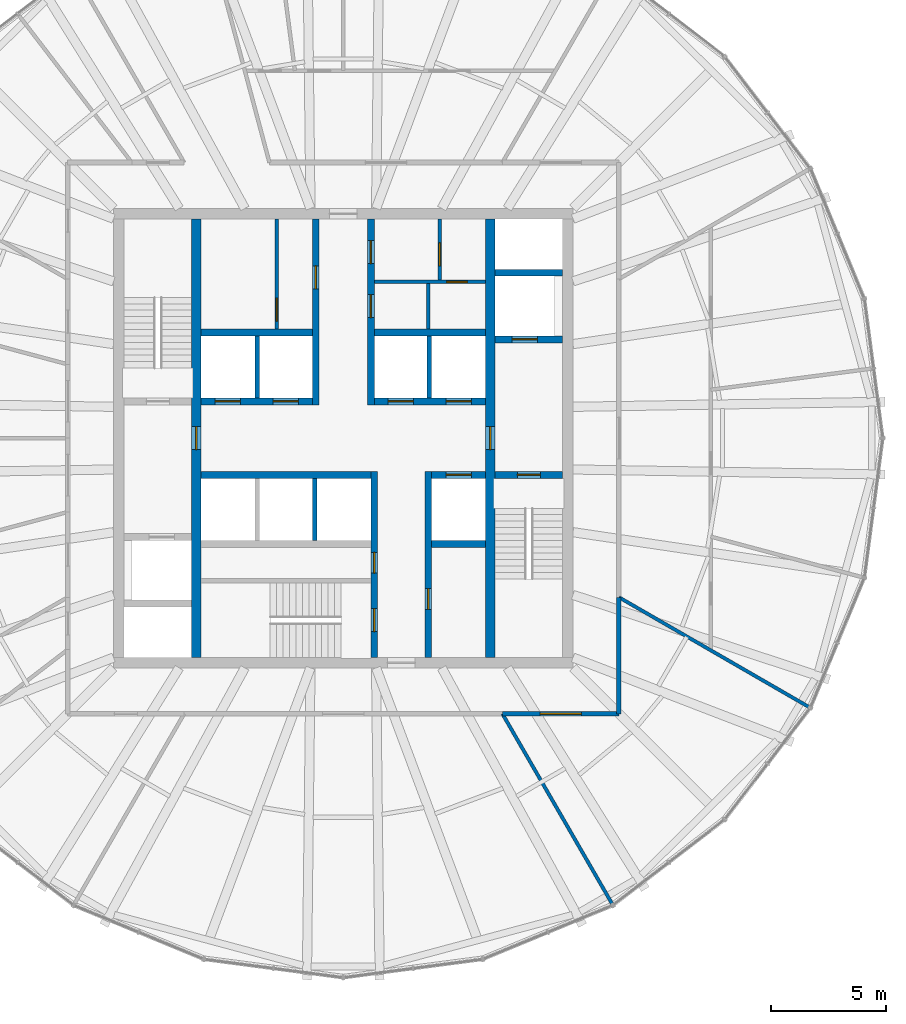
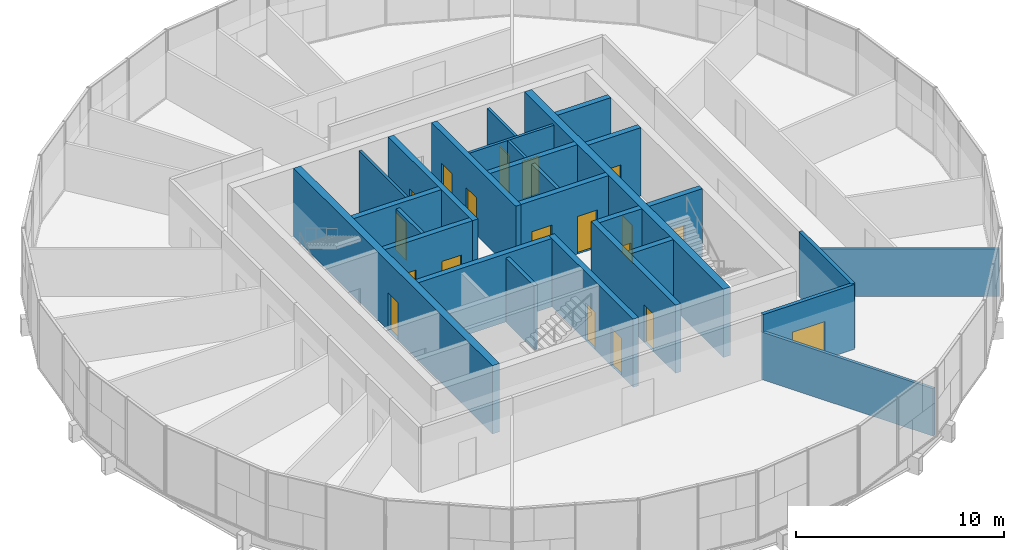
# One storey, part 11 of 13: 27 walls, 19 doors, 19 openings.
"""IFC4 building model written with IfcOpenShell, lengths in metres."""

from ifc_helpers import new_model, si_unit, direction, frame, frame_2d, origin, place, context, subcontext, project, spatial, rectangle, extrude, material, layer, layer_set, type_object, element, fill, save


model = new_model("IFC4")

# Units and contexts
model_context = context("Model", 3, precision=1e-05, world=origin(), true_north=direction((0.0, 1.0)))
body_context = subcontext(model_context, "Body", "Model", "MODEL_VIEW")
ifc_project = project(units=[si_unit("LENGTHUNIT", "METRE"), si_unit("AREAUNIT", "SQUARE_METRE"), si_unit("VOLUMEUNIT", "CUBIC_METRE"), si_unit("PLANEANGLEUNIT", "RADIAN"), si_unit("MASSUNIT", "GRAM", prefix="KILO")], contexts=[model_context])

# Site, building, storey
site_placement = place(None, origin())
site = spatial("IfcSite", under=ifc_project, at=site_placement, CompositionType="ELEMENT")
building_placement = place(site_placement, origin())
building = spatial("IfcBuilding", under=site, at=building_placement, Name="Golbaran Civic Tower", CompositionType="ELEMENT")
storey_placement = place(building_placement, frame((0.0, 0.0, 211.0)))
storey = spatial("IfcBuildingStorey", under=building, at=storey_placement, Name="L51", CompositionType="ELEMENT", Elevation=211.0)

# Wall, opening, door
ifc_material_1 = material(Name="Concrete block", Category="concrete")
ifc_layer_1 = layer(ifc_material_1, 0.14990234375, Name="Concrete block")
ifc_layer_set_1 = layer_set([ifc_layer_1], Name="Concrete block")
wall_type_1 = type_object("IfcWallType", Name="BLOCKWORK PARTITION 150", PredefinedType="PARTITIONING", material=ifc_layer_set_1)
wall_1_placement = place(storey_placement, frame((1.35009765625, 6.800048828125, 0.0), z_axis=(0.0, 0.0, 1.0), x_axis=(1.0, 0.0, 0.0)))
wall_1 = element("IfcWall", 1, at=wall_1_placement, inside=storey, type_object=wall_type_1, Name="Toilet block partition TN1 L51", PredefinedType="PARTITIONING", context=body_context, shape_type="SweptSolid", body=[
    extrude(rectangle(XDim=4.849853515625, YDim=0.14990234375, at=frame_2d((2.4248046875, 0.0))), origin(), (0.0, 0.0, 1.0), 3.75),
])
opening_1_placement = place(wall_1_placement, frame((3.14990234375, 0.0, 0.0)))
opening_1 = element("IfcOpeningElement", 2, at=opening_1_placement, cuts=wall_1, Name="Opening L51.CLN", PredefinedType="OPENING", context=body_context, shape_type="SweptSolid", body=[
    extrude(rectangle(XDim=0.89990234375, YDim=2.199951171875, at=frame_2d((0.449951171875, 1.10009765625))), frame((0.0, 0.0849609375, 0.0), z_axis=(0.0, -1.0, 0.0), x_axis=(1.0, 0.0, 0.0)), (0.0, 0.0, 1.0), 0.169921875),
])
ifc_material_2 = material(Name="Timber door set in steel frame", Category="steel")
door_type_1 = type_object("IfcDoorType", Name="RISER DOOR 900x2200", OperationType="SINGLE_SWING_LEFT", PredefinedType="DOOR", material=ifc_material_2)
door_1_placement = place(opening_1_placement, origin())
door_1 = element("IfcDoor", 3, at=door_1_placement, inside=storey, type_object=door_type_1, Name="Sanitary Supplies Store door", OperationType="SINGLE_SWING_RIGHT", OverallHeight=2.199951171875, OverallWidth=0.89990234375, PredefinedType="DOOR", context=body_context, shape_type="SweptSolid", body=[
    extrude(rectangle(XDim=0.89990234375, YDim=2.199951171875, at=frame_2d((0.449951171875, 1.10009765625))), frame((0.0, 0.02490234375, 0.0), z_axis=(0.0, -1.0, 0.0), x_axis=(1.0, 0.0, 0.0)), (0.0, 0.0, 1.0), 0.050048828125),
])
fill(opening_1, door_1)

# Wall
wall_2_placement = place(storey_placement, frame((3.699951171875, 4.75, 0.0), z_axis=(0.0, 0.0, 1.0), x_axis=(0.0, 1.0, 0.0)))
element("IfcWall", 4, at=wall_2_placement, inside=storey, type_object=wall_type_1, Name="Toilet block partition TN2 L51", PredefinedType="PARTITIONING", context=body_context, shape_type="SweptSolid", body=[
    extrude(rectangle(XDim=1.97509765625, YDim=0.14990234375, at=frame_2d((0.987548828125, 0.0))), origin(), (0.0, 0.0, 1.0), 3.75),
])

# Wall, opening, door
ifc_material_3 = material(Name="Concrete C50/60", Category="concrete")
ifc_layer_2 = layer(ifc_material_3, 0.39990234375, Name="Concrete C50/60")
ifc_layer_set_2 = layer_set([ifc_layer_2], Name="Concrete C50/60")
wall_type_2 = type_object("IfcWallType", Name="CORE WALL CONCRETE 400", PredefinedType="SOLIDWALL", material=ifc_layer_set_2)
wall_3_placement = place(storey_placement, frame((-6.39990234375, -9.550048828125, 0.0), z_axis=(0.0, 0.0, 1.0), x_axis=(0.0, 1.0, 0.0)))
wall_3 = element("IfcWall", 5, at=wall_3_placement, inside=storey, type_object=wall_type_2, Name="Core wall IW L51", PredefinedType="SOLIDWALL", context=body_context, shape_type="SweptSolid", body=[
    extrude(rectangle(XDim=19.10009765625, YDim=0.39990234375, at=frame_2d((9.550048828125, 0.0))), origin(), (0.0, 0.0, 1.0), 4.0),
])
opening_2_placement = place(wall_3_placement, frame((9.050048828125, 0.0, 0.0)))
opening_2 = element("IfcOpeningElement", 6, at=opening_2_placement, cuts=wall_3, Name="Opening L51.FL1", PredefinedType="OPENING", context=body_context, shape_type="SweptSolid", body=[
    extrude(rectangle(XDim=1.0, YDim=2.199951171875, at=frame_2d((0.5, 1.10009765625))), frame((0.0, 0.2099609375, 0.0), z_axis=(0.0, -1.0, 0.0), x_axis=(1.0, 0.0, 0.0)), (0.0, 0.0, 1.0), 0.419921875),
])
door_type_2 = type_object("IfcDoorType", Name="STAIR DOOR 1000x2200", OperationType="SINGLE_SWING_LEFT", PredefinedType="DOOR", material=ifc_material_2)
door_2_placement = place(opening_2_placement, origin())
door_2 = element("IfcDoor", 7, at=door_2_placement, inside=storey, type_object=door_type_2, Name="Fire-fighting lobby FL1 door", OperationType="SINGLE_SWING_LEFT", OverallHeight=2.199951171875, OverallWidth=1.0, PredefinedType="DOOR", context=body_context, shape_type="SweptSolid", body=[
    extrude(rectangle(XDim=1.0, YDim=2.199951171875, at=frame_2d((0.5, 1.10009765625))), frame((0.0, 0.02490234375, 0.0), z_axis=(0.0, -1.0, 0.0), x_axis=(1.0, 0.0, 0.0)), (0.0, 0.0, 1.0), 0.050048828125),
])
fill(opening_2, door_2)

wall_4_placement = place(storey_placement, frame((6.39990234375, 9.550048828125, 0.0), z_axis=(0.0, 0.0, 1.0), x_axis=(0.0, -1.0, 0.0)))
wall_4 = element("IfcWall", 8, at=wall_4_placement, inside=storey, type_object=wall_type_2, Name="Core wall IE L51", PredefinedType="SOLIDWALL", context=body_context, shape_type="SweptSolid", body=[
    extrude(rectangle(XDim=19.10009765625, YDim=0.39990234375, at=frame_2d((9.550048828125, 0.0))), origin(), (0.0, 0.0, 1.0), 4.0),
])
opening_3_placement = place(wall_4_placement, frame((9.050048828125, 0.0, 0.0)))
opening_3 = element("IfcOpeningElement", 9, at=opening_3_placement, cuts=wall_4, Name="Opening L51.FL2", PredefinedType="OPENING", context=body_context, shape_type="SweptSolid", body=[
    extrude(rectangle(XDim=1.0, YDim=2.199951171875, at=frame_2d((0.5, 1.10009765625))), frame((0.0, 0.2099609375, 0.0), z_axis=(0.0, -1.0, 0.0), x_axis=(1.0, 0.0, 0.0)), (0.0, 0.0, 1.0), 0.419921875),
])
door_3_placement = place(opening_3_placement, origin())
door_3 = element("IfcDoor", 10, at=door_3_placement, inside=storey, type_object=door_type_2, Name="Fire-fighting lobby FL2 door", OperationType="SINGLE_SWING_RIGHT", OverallHeight=2.199951171875, OverallWidth=1.0, PredefinedType="DOOR", context=body_context, shape_type="SweptSolid", body=[
    extrude(rectangle(XDim=1.0, YDim=2.199951171875, at=frame_2d((0.5, 1.10009765625))), frame((0.0, 0.02490234375, 0.0), z_axis=(0.0, -1.0, 0.0), x_axis=(1.0, 0.0, 0.0)), (0.0, 0.0, 1.0), 0.050048828125),
])
fill(opening_3, door_3)

ifc_material_4 = material(Name="Gypsum board on steel studs, fire-rated", Category="steel")
ifc_layer_3 = layer(ifc_material_4, 0.199951171875, Name="Gypsum board on steel studs, fire-rated")
ifc_layer_set_3 = layer_set([ifc_layer_3], Name="Gypsum board on steel studs, fire-rated")
wall_type_3 = type_object("IfcWallType", Name="CORRIDOR WALL 200", PredefinedType="PARTITIONING", material=ifc_layer_set_3)
wall_5_placement = place(storey_placement, frame((6.92822265625, -12.0, 0.0), z_axis=(0.0, 0.0, 1.0), x_axis=(1.0, 0.0, 0.0)))
wall_5 = element("IfcWall", 11, at=wall_5_placement, inside=storey, type_object=wall_type_3, Name="Corridor wall L51", PredefinedType="PARTITIONING", context=body_context, shape_type="SweptSolid", body=[
    extrude(rectangle(XDim=5.07177734375, YDim=0.199951171875, at=frame_2d((2.535888671875, 0.0))), origin(), (0.0, 0.0, 1.0), 3.800048828125),
])
opening_4_placement = place(wall_5_placement, frame((1.635986328125, 0.0, 0.0)))
opening_4 = element("IfcOpeningElement", 12, at=opening_4_placement, cuts=wall_5, Name="Opening L51.20", PredefinedType="OPENING", context=body_context, shape_type="SweptSolid", body=[
    extrude(rectangle(XDim=1.800048828125, YDim=2.199951171875, at=frame_2d((0.89990234375, 1.10009765625))), frame((0.0, 0.10986328125, 0.0), z_axis=(0.0, -1.0, 0.0), x_axis=(1.0, 0.0, 0.0)), (0.0, 0.0, 1.0), 0.219970703125),
])
door_type_3 = type_object("IfcDoorType", Name="OFFICE DOUBLE DOOR 1800x2200", OperationType="DOUBLE_DOOR_SINGLE_SWING", PredefinedType="DOOR", material=ifc_material_2)
door_4_placement = place(opening_4_placement, origin())
door_4 = element("IfcDoor", 13, at=door_4_placement, inside=storey, type_object=door_type_3, Name="Open Office door L51", OperationType="DOUBLE_DOOR_SINGLE_SWING", OverallHeight=2.199951171875, OverallWidth=1.800048828125, PredefinedType="DOOR", context=body_context, shape_type="SweptSolid", body=[
    extrude(rectangle(XDim=1.800048828125, YDim=2.199951171875, at=frame_2d((0.89990234375, 1.10009765625))), frame((0.0, 0.02490234375, 0.0), z_axis=(0.0, -1.0, 0.0), x_axis=(1.0, 0.0, 0.0)), (0.0, 0.0, 1.0), 0.050048828125),
])
fill(opening_4, door_4)

# Walls
wall_6_placement = place(storey_placement, frame((12.0, -12.0, 0.0), z_axis=(0.0, 0.0, 1.0), x_axis=(0.0, 1.0, 0.0)))
element("IfcWall", 14, at=wall_6_placement, inside=storey, type_object=wall_type_3, Name="Corridor wall L51", PredefinedType="PARTITIONING", context=body_context, shape_type="SweptSolid", body=[
    extrude(rectangle(XDim=5.07177734375, YDim=0.199951171875, at=frame_2d((2.535888671875, 0.0))), origin(), (0.0, 0.0, 1.0), 3.800048828125),
])
ifc_layer_4 = layer(ifc_material_1, 0.199951171875, Name="Concrete block")
ifc_layer_set_4 = layer_set([ifc_layer_4], Name="Concrete block")
wall_type_4 = type_object("IfcWallType", Name="LIFT SEPARATOR WALL 200", PredefinedType="SOLIDWALL", material=ifc_layer_set_4)
for number, where, z_axis, x_axis, name in (
    (15, (-3.75, 1.75, 0.0), (0.0, 0.0, 1.0), (0.0, 1.0, 0.0), "Core partition SNW L51"),
    (16, (3.75, 1.75, 0.0), (0.0, 0.0, 1.0), (0.0, 1.0, 0.0), "Core partition SNE L51"),
    (17, (-1.25, -1.75, 0.0), (0.0, 0.0, 1.0), (0.0, -1.0, 0.0), "Core partition SSM L51"),
):
    element("IfcWall", number, at=place(storey_placement, frame(where, z_axis=z_axis, x_axis=x_axis)), inside=storey, type_object=wall_type_4, Name=name, PredefinedType="SOLIDWALL", context=body_context, shape_type="SweptSolid", body=[
        extrude(rectangle(XDim=2.699951171875, YDim=0.199951171875, at=frame_2d((1.35009765625, 0.0))), origin(), (0.0, 0.0, 1.0), 3.75),
    ])
ifc_material_5 = material(Name="Gypsum board on steel studs", Category="steel")
ifc_layer_5 = layer(ifc_material_5, 0.14990234375, Name="Gypsum board on steel studs")
ifc_layer_set_5 = layer_set([ifc_layer_5], Name="Gypsum board on steel studs")
wall_type_5 = type_object("IfcWallType", Name="OFFICE PARTITION 150", PredefinedType="PARTITIONING", material=ifc_layer_set_5)
for number, where, z_axis, x_axis, name in (
    (18, (12.0, -6.92822265625, 0.0), (0.0, 0.0, 1.0), (0.866023658759, -0.50000302246, 0.0), "Partition 330 L51"),
    (19, (6.92822265625, -12.0, 0.0), (0.0, 0.0, 1.0), (0.50000302246, -0.866023658759, 0.0), "Partition 300 L51"),
):
    element("IfcWall", number, at=place(storey_placement, frame(where, z_axis=z_axis, x_axis=x_axis)), inside=storey, type_object=wall_type_5, Name=name, PredefinedType="PARTITIONING", context=body_context, shape_type="SweptSolid", body=[
        extrude(rectangle(XDim=9.541015625, YDim=0.14990234375, at=frame_2d((4.7705078125, 0.0))), origin(), (0.0, 0.0, 1.0), 2.7900390625),
    ])

# Wall, openings, doors
ifc_layer_6 = layer(ifc_material_3, 0.300048828125, Name="Concrete C50/60")
ifc_layer_set_6 = layer_set([ifc_layer_6], Name="Concrete C50/60")
wall_type_6 = type_object("IfcWallType", Name="SHAFT WALL CONCRETE 300", PredefinedType="SOLIDWALL", material=ifc_layer_set_6)
wall_7_placement = place(storey_placement, frame((-6.199951171875, 1.60009765625, 0.0), z_axis=(0.0, 0.0, 1.0), x_axis=(1.0, 0.0, 0.0)))
wall_7 = element("IfcWall", 20, at=wall_7_placement, inside=storey, type_object=wall_type_6, Name="Core wall FNW L51", PredefinedType="SOLIDWALL", context=body_context, shape_type="SweptSolid", body=[
    extrude(rectangle(XDim=4.849853515625, YDim=0.300048828125, at=frame_2d((2.4248046875, 0.0))), origin(), (0.0, 0.0, 1.0), 4.0),
])
opening_5_placement = place(wall_7_placement, frame((0.625, 0.0, 0.0)))
opening_5 = element("IfcOpeningElement", 21, at=opening_5_placement, cuts=wall_7, Name="Opening L51.LD-Z1H", PredefinedType="OPENING", context=body_context, shape_type="SweptSolid", body=[
    extrude(rectangle(XDim=1.10009765625, YDim=2.199951171875, at=frame_2d((0.550048828125, 1.10009765625))), frame((0.0, 0.159912109375, 0.0), z_axis=(0.0, -1.0, 0.0), x_axis=(1.0, 0.0, 0.0)), (0.0, 0.0, 1.0), 0.320068359375),
])
opening_6_placement = place(wall_7_placement, frame((3.14990234375, 0.0, 0.0)))
opening_6 = element("IfcOpeningElement", 22, at=opening_6_placement, cuts=wall_7, Name="Opening L51.LD-Z2H", PredefinedType="OPENING", context=body_context, shape_type="SweptSolid", body=[
    extrude(rectangle(XDim=1.10009765625, YDim=2.199951171875, at=frame_2d((0.550048828125, 1.10009765625))), frame((0.0, 0.159912109375, 0.0), z_axis=(0.0, -1.0, 0.0), x_axis=(1.0, 0.0, 0.0)), (0.0, 0.0, 1.0), 0.320068359375),
])
ifc_material_6 = material(Name="Stainless steel", Category="steel")
door_type_4 = type_object("IfcDoorType", Name="LIFT LANDING DOOR 1100x2200", OperationType="SLIDING_TO_LEFT", PredefinedType="DOOR", material=ifc_material_6)
door_5_placement = place(opening_5_placement, origin())
door_5 = element("IfcDoor", 23, at=door_5_placement, inside=storey, type_object=door_type_4, Name="Lift landing door Z1H", OperationType="SLIDING_TO_LEFT", OverallHeight=2.199951171875, OverallWidth=1.10009765625, PredefinedType="DOOR", context=body_context, shape_type="SweptSolid", body=[
    extrude(rectangle(XDim=1.10009765625, YDim=2.199951171875, at=frame_2d((0.550048828125, 1.10009765625))), frame((0.0, 0.02490234375, 0.0), z_axis=(0.0, -1.0, 0.0), x_axis=(1.0, 0.0, 0.0)), (0.0, 0.0, 1.0), 0.050048828125),
])
fill(opening_5, door_5)
door_6_placement = place(opening_6_placement, origin())
door_6 = element("IfcDoor", 24, at=door_6_placement, inside=storey, type_object=door_type_4, Name="Lift landing door Z2H", OperationType="SLIDING_TO_LEFT", OverallHeight=2.199951171875, OverallWidth=1.10009765625, PredefinedType="DOOR", context=body_context, shape_type="SweptSolid", body=[
    extrude(rectangle(XDim=1.10009765625, YDim=2.199951171875, at=frame_2d((0.550048828125, 1.10009765625))), frame((0.0, 0.02490234375, 0.0), z_axis=(0.0, -1.0, 0.0), x_axis=(1.0, 0.0, 0.0)), (0.0, 0.0, 1.0), 0.050048828125),
])
fill(opening_6, door_6)

wall_8_placement = place(storey_placement, frame((1.35009765625, 1.60009765625, 0.0), z_axis=(0.0, 0.0, 1.0), x_axis=(1.0, 0.0, 0.0)))
wall_8 = element("IfcWall", 25, at=wall_8_placement, inside=storey, type_object=wall_type_6, Name="Core wall FNE L51", PredefinedType="SOLIDWALL", context=body_context, shape_type="SweptSolid", body=[
    extrude(rectangle(XDim=4.849853515625, YDim=0.300048828125, at=frame_2d((2.4248046875, 0.0))), origin(), (0.0, 0.0, 1.0), 4.0),
])
opening_7_placement = place(wall_8_placement, frame((0.60009765625, 0.0, 0.0)))
opening_7 = element("IfcOpeningElement", 26, at=opening_7_placement, cuts=wall_8, Name="Opening L51.LD-Z3H", PredefinedType="OPENING", context=body_context, shape_type="SweptSolid", body=[
    extrude(rectangle(XDim=1.10009765625, YDim=2.199951171875, at=frame_2d((0.550048828125, 1.10009765625))), frame((0.0, 0.159912109375, 0.0), z_axis=(0.0, -1.0, 0.0), x_axis=(1.0, 0.0, 0.0)), (0.0, 0.0, 1.0), 0.320068359375),
])
opening_8_placement = place(wall_8_placement, frame((3.125, 0.0, 0.0)))
opening_8 = element("IfcOpeningElement", 27, at=opening_8_placement, cuts=wall_8, Name="Opening L51.LD-Z4H", PredefinedType="OPENING", context=body_context, shape_type="SweptSolid", body=[
    extrude(rectangle(XDim=1.10009765625, YDim=2.199951171875, at=frame_2d((0.550048828125, 1.10009765625))), frame((0.0, 0.159912109375, 0.0), z_axis=(0.0, -1.0, 0.0), x_axis=(1.0, 0.0, 0.0)), (0.0, 0.0, 1.0), 0.320068359375),
])
door_7_placement = place(opening_7_placement, origin())
door_7 = element("IfcDoor", 28, at=door_7_placement, inside=storey, type_object=door_type_4, Name="Lift landing door Z3H", OperationType="SLIDING_TO_LEFT", OverallHeight=2.199951171875, OverallWidth=1.10009765625, PredefinedType="DOOR", context=body_context, shape_type="SweptSolid", body=[
    extrude(rectangle(XDim=1.10009765625, YDim=2.199951171875, at=frame_2d((0.550048828125, 1.10009765625))), frame((0.0, 0.02490234375, 0.0), z_axis=(0.0, -1.0, 0.0), x_axis=(1.0, 0.0, 0.0)), (0.0, 0.0, 1.0), 0.050048828125),
])
fill(opening_7, door_7)
door_8_placement = place(opening_8_placement, origin())
door_8 = element("IfcDoor", 29, at=door_8_placement, inside=storey, type_object=door_type_4, Name="Lift landing door Z4H", OperationType="SLIDING_TO_LEFT", OverallHeight=2.199951171875, OverallWidth=1.10009765625, PredefinedType="DOOR", context=body_context, shape_type="SweptSolid", body=[
    extrude(rectangle(XDim=1.10009765625, YDim=2.199951171875, at=frame_2d((0.550048828125, 1.10009765625))), frame((0.0, 0.02490234375, 0.0), z_axis=(0.0, -1.0, 0.0), x_axis=(1.0, 0.0, 0.0)), (0.0, 0.0, 1.0), 0.050048828125),
])
fill(opening_8, door_8)

# Walls
for number, where, z_axis, x_axis, name in (
    (30, (-6.199951171875, 4.60009765625, 0.0), (0.0, 0.0, 1.0), (1.0, 0.0, 0.0), "Core wall BNW L51"),
    (31, (1.35009765625, 4.60009765625, 0.0), (0.0, 0.0, 1.0), (1.0, 0.0, 0.0), "Core wall BNE L51"),
):
    element("IfcWall", number, at=place(storey_placement, frame(where, z_axis=z_axis, x_axis=x_axis)), inside=storey, type_object=wall_type_6, Name=name, PredefinedType="SOLIDWALL", context=body_context, shape_type="SweptSolid", body=[
        extrude(rectangle(XDim=4.849853515625, YDim=0.300048828125, at=frame_2d((2.4248046875, 0.0))), origin(), (0.0, 0.0, 1.0), 4.0),
    ])

# Wall, opening, door
wall_9_placement = place(storey_placement, frame((-1.199951171875, 1.449951171875, 0.0), z_axis=(0.0, 0.0, 1.0), x_axis=(0.0, 1.0, 0.0)))
wall_9 = element("IfcWall", 32, at=wall_9_placement, inside=storey, type_object=wall_type_6, Name="Core wall PNW L51", PredefinedType="SOLIDWALL", context=body_context, shape_type="SweptSolid", body=[
    extrude(rectangle(XDim=8.10009765625, YDim=0.300048828125, at=frame_2d((4.050048828125, 0.0))), origin(), (0.0, 0.0, 1.0), 4.0),
])
opening_9_placement = place(wall_9_placement, frame((5.050048828125, 0.0, 0.0)))
opening_9 = element("IfcOpeningElement", 33, at=opening_9_placement, cuts=wall_9, Name="Opening L51.WCM", PredefinedType="OPENING", context=body_context, shape_type="SweptSolid", body=[
    extrude(rectangle(XDim=1.0, YDim=2.199951171875, at=frame_2d((0.5, 1.10009765625))), frame((0.0, 0.159912109375, 0.0), z_axis=(0.0, -1.0, 0.0), x_axis=(1.0, 0.0, 0.0)), (0.0, 0.0, 1.0), 0.320068359375),
])
door_type_5 = type_object("IfcDoorType", Name="TOILET DOOR 1000x2200", OperationType="SINGLE_SWING_LEFT", PredefinedType="DOOR", material=ifc_material_2)
door_9_placement = place(opening_9_placement, origin())
door_9 = element("IfcDoor", 34, at=door_9_placement, inside=storey, type_object=door_type_5, Name="North-west toilet block door", OperationType="SINGLE_SWING_RIGHT", OverallHeight=2.199951171875, OverallWidth=1.0, PredefinedType="DOOR", context=body_context, shape_type="SweptSolid", body=[
    extrude(rectangle(XDim=1.0, YDim=2.199951171875, at=frame_2d((0.5, 1.10009765625))), frame((0.0, 0.02490234375, 0.0), z_axis=(0.0, -1.0, 0.0), x_axis=(1.0, 0.0, 0.0)), (0.0, 0.0, 1.0), 0.050048828125),
])
fill(opening_9, door_9)

# Wall, openings, doors
wall_10_placement = place(storey_placement, frame((1.199951171875, 1.449951171875, 0.0), z_axis=(0.0, 0.0, 1.0), x_axis=(0.0, 1.0, 0.0)))
wall_10 = element("IfcWall", 35, at=wall_10_placement, inside=storey, type_object=wall_type_6, Name="Core wall PNE L51", PredefinedType="SOLIDWALL", context=body_context, shape_type="SweptSolid", body=[
    extrude(rectangle(XDim=8.10009765625, YDim=0.300048828125, at=frame_2d((4.050048828125, 0.0))), origin(), (0.0, 0.0, 1.0), 4.0),
])
opening_10_placement = place(wall_10_placement, frame((3.800048828125, 0.0, 0.0)))
opening_10 = element("IfcOpeningElement", 36, at=opening_10_placement, cuts=wall_10, Name="Opening L51.WCA", PredefinedType="OPENING", context=body_context, shape_type="SweptSolid", body=[
    extrude(rectangle(XDim=1.0, YDim=2.199951171875, at=frame_2d((0.5, 1.10009765625))), frame((0.0, 0.159912109375, 0.0), z_axis=(0.0, -1.0, 0.0), x_axis=(1.0, 0.0, 0.0)), (0.0, 0.0, 1.0), 0.320068359375),
])
opening_11_placement = place(wall_10_placement, frame((6.14990234375, 0.0, 0.0)))
opening_11 = element("IfcOpeningElement", 37, at=opening_11_placement, cuts=wall_10, Name="Opening L51.WCF", PredefinedType="OPENING", context=body_context, shape_type="SweptSolid", body=[
    extrude(rectangle(XDim=1.0, YDim=2.199951171875, at=frame_2d((0.5, 1.10009765625))), frame((0.0, 0.159912109375, 0.0), z_axis=(0.0, -1.0, 0.0), x_axis=(1.0, 0.0, 0.0)), (0.0, 0.0, 1.0), 0.320068359375),
])
door_10_placement = place(opening_10_placement, origin())
door_10 = element("IfcDoor", 38, at=door_10_placement, inside=storey, type_object=door_type_5, Name="Accessible WC door", OperationType="SINGLE_SWING_RIGHT", OverallHeight=2.199951171875, OverallWidth=1.0, PredefinedType="DOOR", context=body_context, shape_type="SweptSolid", body=[
    extrude(rectangle(XDim=1.0, YDim=2.199951171875, at=frame_2d((0.5, 1.10009765625))), frame((0.0, 0.02490234375, 0.0), z_axis=(0.0, -1.0, 0.0), x_axis=(1.0, 0.0, 0.0)), (0.0, 0.0, 1.0), 0.050048828125),
])
fill(opening_10, door_10)
door_11_placement = place(opening_11_placement, origin())
door_11 = element("IfcDoor", 39, at=door_11_placement, inside=storey, type_object=door_type_5, Name="North-east toilet block door", OperationType="SINGLE_SWING_RIGHT", OverallHeight=2.199951171875, OverallWidth=1.0, PredefinedType="DOOR", context=body_context, shape_type="SweptSolid", body=[
    extrude(rectangle(XDim=1.0, YDim=2.199951171875, at=frame_2d((0.5, 1.10009765625))), frame((0.0, 0.02490234375, 0.0), z_axis=(0.0, -1.0, 0.0), x_axis=(1.0, 0.0, 0.0)), (0.0, 0.0, 1.0), 0.050048828125),
])
fill(opening_11, door_11)

# Wall
wall_11_placement = place(storey_placement, frame((-6.199951171875, -1.60009765625, 0.0), z_axis=(0.0, 0.0, 1.0), x_axis=(1.0, 0.0, 0.0)))
element("IfcWall", 40, at=wall_11_placement, inside=storey, type_object=wall_type_6, Name="Core wall FSW L51", PredefinedType="SOLIDWALL", context=body_context, shape_type="SweptSolid", body=[
    extrude(rectangle(XDim=7.39990234375, YDim=0.300048828125, at=frame_2d((3.699951171875, 0.0))), origin(), (0.0, 0.0, 1.0), 4.0),
])

# Wall, opening, door
wall_12_placement = place(storey_placement, frame((3.85009765625, -1.60009765625, 0.0), z_axis=(0.0, 0.0, 1.0), x_axis=(1.0, 0.0, 0.0)))
wall_12 = element("IfcWall", 41, at=wall_12_placement, inside=storey, type_object=wall_type_6, Name="Core wall FSE L51", PredefinedType="SOLIDWALL", context=body_context, shape_type="SweptSolid", body=[
    extrude(rectangle(XDim=2.349853515625, YDim=0.300048828125, at=frame_2d((1.1748046875, 0.0))), origin(), (0.0, 0.0, 1.0), 4.0),
])
opening_12_placement = place(wall_12_placement, frame((0.625, 0.0, 0.0)))
opening_12 = element("IfcOpeningElement", 42, at=opening_12_placement, cuts=wall_12, Name="Opening L51.LD-V1", PredefinedType="OPENING", context=body_context, shape_type="SweptSolid", body=[
    extrude(rectangle(XDim=1.10009765625, YDim=2.199951171875, at=frame_2d((0.550048828125, 1.10009765625))), frame((0.0, 0.159912109375, 0.0), z_axis=(0.0, -1.0, 0.0), x_axis=(1.0, 0.0, 0.0)), (0.0, 0.0, 1.0), 0.320068359375),
])
door_12_placement = place(opening_12_placement, origin())
door_12 = element("IfcDoor", 43, at=door_12_placement, inside=storey, type_object=door_type_4, Name="Lift landing door V1", OperationType="SLIDING_TO_LEFT", OverallHeight=2.199951171875, OverallWidth=1.10009765625, PredefinedType="DOOR", context=body_context, shape_type="SweptSolid", body=[
    extrude(rectangle(XDim=1.10009765625, YDim=2.199951171875, at=frame_2d((0.550048828125, 1.10009765625))), frame((0.0, 0.02490234375, 0.0), z_axis=(0.0, -1.0, 0.0), x_axis=(1.0, 0.0, 0.0)), (0.0, 0.0, 1.0), 0.050048828125),
])
fill(opening_12, door_12)

# Wall
wall_13_placement = place(storey_placement, frame((3.85009765625, -4.60009765625, 0.0), z_axis=(0.0, 0.0, 1.0), x_axis=(1.0, 0.0, 0.0)))
element("IfcWall", 44, at=wall_13_placement, inside=storey, type_object=wall_type_6, Name="Core wall BSE L51", PredefinedType="SOLIDWALL", context=body_context, shape_type="SweptSolid", body=[
    extrude(rectangle(XDim=2.349853515625, YDim=0.300048828125, at=frame_2d((1.1748046875, 0.0))), origin(), (0.0, 0.0, 1.0), 4.0),
])

# Wall, openings, doors
wall_14_placement = place(storey_placement, frame((1.35009765625, -1.449951171875, 0.0), z_axis=(0.0, 0.0, 1.0), x_axis=(0.0, -1.0, 0.0)))
wall_14 = element("IfcWall", 45, at=wall_14_placement, inside=storey, type_object=wall_type_6, Name="Core wall PSW L51", PredefinedType="SOLIDWALL", context=body_context, shape_type="SweptSolid", body=[
    extrude(rectangle(XDim=8.10009765625, YDim=0.300048828125, at=frame_2d((4.050048828125, 0.0))), origin(), (0.0, 0.0, 1.0), 4.0),
])
opening_13_placement = place(wall_14_placement, frame((5.97509765625, 0.0, 0.0)))
opening_13 = element("IfcOpeningElement", 46, at=opening_13_placement, cuts=wall_14, Name="Opening L51.S3", PredefinedType="OPENING", context=body_context, shape_type="SweptSolid", body=[
    extrude(rectangle(XDim=1.0, YDim=2.199951171875, at=frame_2d((0.5, 1.10009765625))), frame((0.0, 0.159912109375, 0.0), z_axis=(0.0, -1.0, 0.0), x_axis=(1.0, 0.0, 0.0)), (0.0, 0.0, 1.0), 0.320068359375),
])
opening_14_placement = place(wall_14_placement, frame((3.52490234375, 0.0, 0.0)))
opening_14 = element("IfcOpeningElement", 47, at=opening_14_placement, cuts=wall_14, Name="Opening L51.RE", PredefinedType="OPENING", context=body_context, shape_type="SweptSolid", body=[
    extrude(rectangle(XDim=0.89990234375, YDim=2.199951171875, at=frame_2d((0.449951171875, 1.10009765625))), frame((0.0, 0.159912109375, 0.0), z_axis=(0.0, -1.0, 0.0), x_axis=(1.0, 0.0, 0.0)), (0.0, 0.0, 1.0), 0.320068359375),
])
door_13_placement = place(opening_14_placement, origin())
door_13 = element("IfcDoor", 48, at=door_13_placement, inside=storey, type_object=door_type_1, Name="Electrical riser door", OperationType="SINGLE_SWING_LEFT", OverallHeight=2.199951171875, OverallWidth=0.89990234375, PredefinedType="DOOR", context=body_context, shape_type="SweptSolid", body=[
    extrude(rectangle(XDim=0.89990234375, YDim=2.199951171875, at=frame_2d((0.449951171875, 1.10009765625))), frame((0.0, 0.02490234375, 0.0), z_axis=(0.0, -1.0, 0.0), x_axis=(1.0, 0.0, 0.0)), (0.0, 0.0, 1.0), 0.050048828125),
])
fill(opening_14, door_13)
door_14_placement = place(opening_13_placement, origin())
door_14 = element("IfcDoor", 49, at=door_14_placement, inside=storey, type_object=door_type_2, Name="Stair S3 door", OperationType="SINGLE_SWING_RIGHT", OverallHeight=2.199951171875, OverallWidth=1.0, PredefinedType="DOOR", context=body_context, shape_type="SweptSolid", body=[
    extrude(rectangle(XDim=1.0, YDim=2.199951171875, at=frame_2d((0.5, 1.10009765625))), frame((0.0, 0.02490234375, 0.0), z_axis=(0.0, -1.0, 0.0), x_axis=(1.0, 0.0, 0.0)), (0.0, 0.0, 1.0), 0.050048828125),
])
fill(opening_13, door_14)

# Wall, opening, door
wall_15_placement = place(storey_placement, frame((3.699951171875, -1.449951171875, 0.0), z_axis=(0.0, 0.0, 1.0), x_axis=(0.0, -1.0, 0.0)))
wall_15 = element("IfcWall", 50, at=wall_15_placement, inside=storey, type_object=wall_type_6, Name="Core wall PSE L51", PredefinedType="SOLIDWALL", context=body_context, shape_type="SweptSolid", body=[
    extrude(rectangle(XDim=8.10009765625, YDim=0.300048828125, at=frame_2d((4.050048828125, 0.0))), origin(), (0.0, 0.0, 1.0), 4.0),
])
opening_15_placement = place(wall_15_placement, frame((5.10009765625, 0.0, 0.0)))
opening_15 = element("IfcOpeningElement", 51, at=opening_15_placement, cuts=wall_15, Name="Opening L51.RM", PredefinedType="OPENING", context=body_context, shape_type="SweptSolid", body=[
    extrude(rectangle(XDim=0.89990234375, YDim=2.199951171875, at=frame_2d((0.449951171875, 1.10009765625))), frame((0.0, 0.159912109375, 0.0), z_axis=(0.0, -1.0, 0.0), x_axis=(1.0, 0.0, 0.0)), (0.0, 0.0, 1.0), 0.320068359375),
])
door_15_placement = place(opening_15_placement, origin())
door_15 = element("IfcDoor", 52, at=door_15_placement, inside=storey, type_object=door_type_1, Name="Mechanical riser door", OperationType="SINGLE_SWING_RIGHT", OverallHeight=2.199951171875, OverallWidth=0.89990234375, PredefinedType="DOOR", context=body_context, shape_type="SweptSolid", body=[
    extrude(rectangle(XDim=0.89990234375, YDim=2.199951171875, at=frame_2d((0.449951171875, 1.10009765625))), frame((0.0, 0.02490234375, 0.0), z_axis=(0.0, -1.0, 0.0), x_axis=(1.0, 0.0, 0.0)), (0.0, 0.0, 1.0), 0.050048828125),
])
fill(opening_15, door_15)

wall_16_placement = place(storey_placement, frame((6.60009765625, -1.60009765625, 0.0), z_axis=(0.0, 0.0, 1.0), x_axis=(1.0, 0.0, 0.0)))
wall_16 = element("IfcWall", 53, at=wall_16_placement, inside=storey, type_object=wall_type_6, Name="Core wall XE1 L51", PredefinedType="SOLIDWALL", context=body_context, shape_type="SweptSolid", body=[
    extrude(rectangle(XDim=2.949951171875, YDim=0.300048828125, at=frame_2d((1.47509765625, 0.0))), origin(), (0.0, 0.0, 1.0), 4.0),
])
opening_16_placement = place(wall_16_placement, frame((0.97509765625, 0.0, 0.0)))
opening_16 = element("IfcOpeningElement", 54, at=opening_16_placement, cuts=wall_16, Name="Opening L51.S2", PredefinedType="OPENING", context=body_context, shape_type="SweptSolid", body=[
    extrude(rectangle(XDim=1.0, YDim=2.199951171875, at=frame_2d((0.5, 1.10009765625))), frame((0.0, 0.159912109375, 0.0), z_axis=(0.0, -1.0, 0.0), x_axis=(1.0, 0.0, 0.0)), (0.0, 0.0, 1.0), 0.320068359375),
])
door_16_placement = place(opening_16_placement, origin())
door_16 = element("IfcDoor", 55, at=door_16_placement, inside=storey, type_object=door_type_2, Name="Stair S2 door", OperationType="SINGLE_SWING_LEFT", OverallHeight=2.199951171875, OverallWidth=1.0, PredefinedType="DOOR", context=body_context, shape_type="SweptSolid", body=[
    extrude(rectangle(XDim=1.0, YDim=2.199951171875, at=frame_2d((0.5, 1.10009765625))), frame((0.0, 0.02490234375, 0.0), z_axis=(0.0, -1.0, 0.0), x_axis=(1.0, 0.0, 0.0)), (0.0, 0.0, 1.0), 0.050048828125),
])
fill(opening_16, door_16)

wall_17_placement = place(storey_placement, frame((6.60009765625, 4.300048828125, 0.0), z_axis=(0.0, 0.0, 1.0), x_axis=(1.0, 0.0, 0.0)))
wall_17 = element("IfcWall", 56, at=wall_17_placement, inside=storey, type_object=wall_type_6, Name="Core wall XE2 L51", PredefinedType="SOLIDWALL", context=body_context, shape_type="SweptSolid", body=[
    extrude(rectangle(XDim=2.949951171875, YDim=0.300048828125, at=frame_2d((1.47509765625, 0.0))), origin(), (0.0, 0.0, 1.0), 4.0),
])
opening_17_placement = place(wall_17_placement, frame((0.75, 0.0, 0.0)))
opening_17 = element("IfcOpeningElement", 57, at=opening_17_placement, cuts=wall_17, Name="Opening L51.LD-F2", PredefinedType="OPENING", context=body_context, shape_type="SweptSolid", body=[
    extrude(rectangle(XDim=1.10009765625, YDim=2.199951171875, at=frame_2d((0.550048828125, 1.10009765625))), frame((0.0, 0.159912109375, 0.0), z_axis=(0.0, -1.0, 0.0), x_axis=(1.0, 0.0, 0.0)), (0.0, 0.0, 1.0), 0.320068359375),
])
door_17_placement = place(opening_17_placement, origin())
door_17 = element("IfcDoor", 58, at=door_17_placement, inside=storey, type_object=door_type_4, Name="Lift landing door F2", OperationType="SLIDING_TO_LEFT", OverallHeight=2.199951171875, OverallWidth=1.10009765625, PredefinedType="DOOR", context=body_context, shape_type="SweptSolid", body=[
    extrude(rectangle(XDim=1.10009765625, YDim=2.199951171875, at=frame_2d((0.550048828125, 1.10009765625))), frame((0.0, 0.02490234375, 0.0), z_axis=(0.0, -1.0, 0.0), x_axis=(1.0, 0.0, 0.0)), (0.0, 0.0, 1.0), 0.050048828125),
])
fill(opening_17, door_17)

# Wall
wall_18_placement = place(storey_placement, frame((6.60009765625, 7.199951171875, 0.0), z_axis=(0.0, 0.0, 1.0), x_axis=(1.0, 0.0, 0.0)))
element("IfcWall", 59, at=wall_18_placement, inside=storey, type_object=wall_type_6, Name="Core wall XE3 L51", PredefinedType="SOLIDWALL", context=body_context, shape_type="SweptSolid", body=[
    extrude(rectangle(XDim=2.949951171875, YDim=0.300048828125, at=frame_2d((1.47509765625, 0.0))), origin(), (0.0, 0.0, 1.0), 4.0),
])

# Wall, opening, door
ifc_material_7 = material(Name="Moisture-resistant gypsum board on steel studs", Category="steel")
ifc_layer_7 = layer(ifc_material_7, 0.14990234375, Name="Moisture-resistant gypsum board on steel studs")
ifc_layer_set_7 = layer_set([ifc_layer_7], Name="Moisture-resistant gypsum board on steel studs")
wall_type_7 = type_object("IfcWallType", Name="TOILET BLOCK PARTITION 150", PredefinedType="PARTITIONING", material=ifc_layer_set_7)
wall_19_placement = place(storey_placement, frame((4.199951171875, 6.875, 0.0), z_axis=(0.0, 0.0, 1.0), x_axis=(0.0, 1.0, 0.0)))
wall_19 = element("IfcWall", 60, at=wall_19_placement, inside=storey, type_object=wall_type_7, Name="Toilet block partition TN3 L51", PredefinedType="PARTITIONING", context=body_context, shape_type="SweptSolid", body=[
    extrude(rectangle(XDim=2.675048828125, YDim=0.14990234375, at=frame_2d((1.33740234375, 0.0))), origin(), (0.0, 0.0, 1.0), 3.75),
])
opening_18_placement = place(wall_19_placement, frame((0.625, 0.0, 0.0)))
opening_18 = element("IfcOpeningElement", 61, at=opening_18_placement, cuts=wall_19, Name="Opening L51.07", PredefinedType="OPENING", context=body_context, shape_type="SweptSolid", body=[
    extrude(rectangle(XDim=1.0, YDim=2.199951171875, at=frame_2d((0.5, 1.10009765625))), frame((0.0, 0.0849609375, 0.0), z_axis=(0.0, -1.0, 0.0), x_axis=(1.0, 0.0, 0.0)), (0.0, 0.0, 1.0), 0.169921875),
])
door_18_placement = place(opening_18_placement, origin())
door_18 = element("IfcDoor", 62, at=door_18_placement, inside=storey, type_object=door_type_5, Name="Parents' room door", OperationType="SINGLE_SWING_LEFT", OverallHeight=2.199951171875, OverallWidth=1.0, PredefinedType="DOOR", context=body_context, shape_type="SweptSolid", body=[
    extrude(rectangle(XDim=1.0, YDim=2.199951171875, at=frame_2d((0.5, 1.10009765625))), frame((0.0, 0.02490234375, 0.0), z_axis=(0.0, -1.0, 0.0), x_axis=(1.0, 0.0, 0.0)), (0.0, 0.0, 1.0), 0.050048828125),
])
fill(opening_18, door_18)

wall_20_placement = place(storey_placement, frame((-2.89990234375, 4.75, 0.0), z_axis=(0.0, 0.0, 1.0), x_axis=(0.0, 1.0, 0.0)))
wall_20 = element("IfcWall", 63, at=wall_20_placement, inside=storey, type_object=wall_type_7, Name="Toilet block partition MWL L51", PredefinedType="PARTITIONING", context=body_context, shape_type="SweptSolid", body=[
    extrude(rectangle(XDim=4.800048828125, YDim=0.14990234375, at=frame_2d((2.39990234375, 0.0))), origin(), (0.0, 0.0, 1.0), 3.75),
])
opening_19_placement = place(wall_20_placement, frame((0.35009765625, 0.0, 0.0)))
opening_19 = element("IfcOpeningElement", 64, at=opening_19_placement, cuts=wall_20, Name="Opening L51.21", PredefinedType="OPENING", context=body_context, shape_type="SweptSolid", body=[
    extrude(rectangle(XDim=1.0, YDim=2.199951171875, at=frame_2d((0.5, 1.10009765625))), frame((0.0, 0.0849609375, 0.0), z_axis=(0.0, -1.0, 0.0), x_axis=(1.0, 0.0, 0.0)), (0.0, 0.0, 1.0), 0.169921875),
])
door_19_placement = place(opening_19_placement, origin())
door_19 = element("IfcDoor", 65, at=door_19_placement, inside=storey, type_object=door_type_5, Name="Male WC door", OperationType="SINGLE_SWING_LEFT", OverallHeight=2.199951171875, OverallWidth=1.0, PredefinedType="DOOR", context=body_context, shape_type="SweptSolid", body=[
    extrude(rectangle(XDim=1.0, YDim=2.199951171875, at=frame_2d((0.5, 1.10009765625))), frame((0.0, 0.02490234375, 0.0), z_axis=(0.0, -1.0, 0.0), x_axis=(1.0, 0.0, 0.0)), (0.0, 0.0, 1.0), 0.050048828125),
])
fill(opening_19, door_19)

save(model, "model.ifc")
